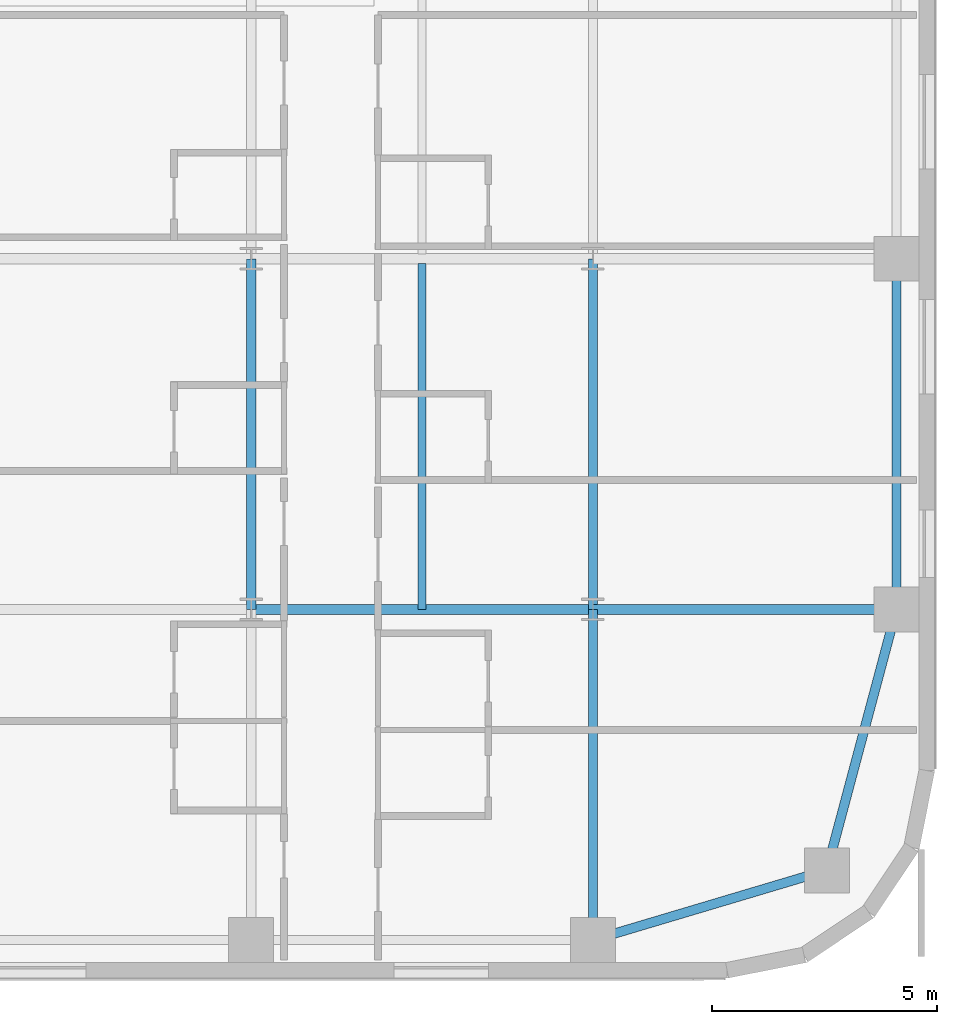
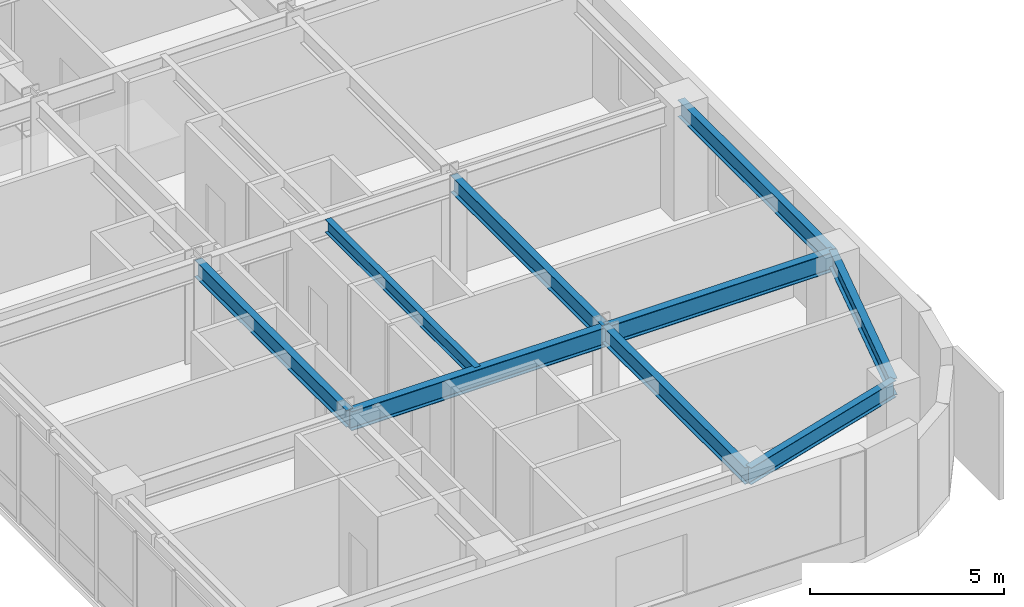
# One storey, part 17 of 37: 9 beams.
"""IFC4 building model written with IfcOpenShell, lengths in metres."""

from ifc_helpers import new_model, si_unit, direction, frame, origin, origin_2d, place, context, subcontext, project, spatial, i_section, extrude, source, transform, mapped, material, material_profile, profile_set, type_object, type_shapes, element, save


model = new_model("IFC4")

# Units and contexts
model_context = context("Model", 3, precision=1e-05, world=origin(), true_north=direction((0.0, 1.0)))
body_context = subcontext(model_context, "Body", "Model", "MODEL_VIEW")
ifc_project = project(units=[si_unit("LENGTHUNIT", "METRE"), si_unit("AREAUNIT", "SQUARE_METRE"), si_unit("VOLUMEUNIT", "CUBIC_METRE"), si_unit("PLANEANGLEUNIT", "RADIAN"), si_unit("MASSUNIT", "GRAM", prefix="KILO")], contexts=[model_context])

# Site, building, storey
site_placement = place(None, origin())
site = spatial("IfcSite", under=ifc_project, at=site_placement, CompositionType="ELEMENT")
building_placement = place(site_placement, origin())
building = spatial("IfcBuilding", under=site, at=building_placement, Name="Tolvann Quenvar Hotel", CompositionType="ELEMENT")
storey_placement = place(building_placement, frame((0.0, 0.0, 53.300048828125)))
storey = spatial("IfcBuildingStorey", under=building, at=storey_placement, Name="L12", CompositionType="ELEMENT", Elevation=53.300048828125)

# Beams
ifc_material = material(Name="Steel Grade 350", Category="steel")
ifc_material_profile_1 = material_profile(ifc_material, i_section(OverallWidth=0.208984375, OverallDepth=0.528076171875, WebThickness=0.009521484375, FlangeThickness=0.01318359375, FilletRadius=0.013916015625, at=origin_2d()), Name="530UB82")
ifc_profile_set_1 = profile_set([ifc_material_profile_1], Name="Steel Grade 350")
beam_type_1 = type_object("IfcBeamType", Name="BM_SPAND_530UB82", PredefinedType="SPANDREL", material=ifc_profile_set_1)
shared_shape_1 = source(origin(), body_context, "Body", "SweptSolid", [
    extrude(i_section(OverallWidth=0.208984375, OverallDepth=0.528076171875, WebThickness=0.009521484375, FlangeThickness=0.01318359375, FilletRadius=0.013916015625, at=origin_2d()), origin(), (0.0, 0.0, 1.0), 5.42626953125),
])
beam_1_placement = place(storey_placement, frame((49.39990234375, 0.85009765625, 3.10595703125), z_axis=(0.958344815522, 0.285613750654, 0.0), x_axis=(-0.285613750654, 0.958344815522, 0.0)))
element("IfcBeam", 1, at=beam_1_placement, inside=storey, type_object=beam_type_1, Name="BM-L12-EW-2-I2-J2", PredefinedType="SPANDREL", context=body_context, shape_type="MappedRepresentation", body=[
    mapped(shared_shape_1, transform((0.0, 0.0, 0.0), x_axis=(1.0, 0.0, 0.0), y_axis=(0.0, 1.0, 0.0), z_axis=(0.0, 0.0, 1.0), scale=1.0)),
])
ifc_material_profile_2 = material_profile(ifc_material, i_section(OverallWidth=0.22900390625, OverallDepth=0.612060546875, WebThickness=0.011962890625, FlangeThickness=0.01953125, FilletRadius=0.013916015625, at=origin_2d()), Name="610UB125")
ifc_profile_set_2 = profile_set([ifc_material_profile_2], Name="Steel Grade 350")
beam_type_2 = type_object("IfcBeamType", Name="BM_GIRD_610UB125", PredefinedType="BEAM", material=ifc_profile_set_2)
shared_shape_2 = source(origin(), body_context, "Body", "SweptSolid", [
    extrude(i_section(OverallWidth=0.22900390625, OverallDepth=0.612060546875, WebThickness=0.011962890625, FlangeThickness=0.01953125, FilletRadius=0.013916015625, at=origin_2d()), origin(), (0.0, 0.0, 1.0), 6.75),
])
beam_2_placement = place(storey_placement, frame((49.39990234375, 8.199951171875, 3.06396484375), z_axis=(1.0, 0.0, 0.0), x_axis=(0.0, 1.0, 0.0)))
element("IfcBeam", 2, at=beam_2_placement, inside=storey, type_object=beam_type_2, Name="BM-L12-EW-3-I3-J3", PredefinedType="BEAM", context=body_context, shape_type="MappedRepresentation", body=[
    mapped(shared_shape_2, transform((0.0, 0.0, 0.0), x_axis=(1.0, 0.0, 0.0), y_axis=(0.0, 1.0, 0.0), z_axis=(0.0, 0.0, 1.0), scale=1.0)),
])
shared_shape_3 = source(origin(), body_context, "Body", "SweptSolid", [
    extrude(i_section(OverallWidth=0.22900390625, OverallDepth=0.612060546875, WebThickness=0.011962890625, FlangeThickness=0.01953125, FilletRadius=0.013916015625, at=origin_2d()), origin(), (0.0, 0.0, 1.0), 7.599853515625),
])
type_shapes(beam_type_2, [shared_shape_2, shared_shape_3])
beam_3_placement = place(storey_placement, frame((41.800048828125, 8.199951171875, 3.06396484375), z_axis=(1.0, 0.0, 0.0), x_axis=(0.0, 1.0, 0.0)))
element("IfcBeam", 3, at=beam_3_placement, inside=storey, type_object=beam_type_2, Name="BM-L12-EW-3-H3-I3", PredefinedType="BEAM", context=body_context, shape_type="MappedRepresentation", body=[
    mapped(shared_shape_3, transform((0.0, 0.0, 0.0), x_axis=(1.0, 0.0, 0.0), y_axis=(0.0, 1.0, 0.0), z_axis=(0.0, 0.0, 1.0), scale=1.0)),
])
shared_shape_4 = source(origin(), body_context, "Body", "SweptSolid", [
    extrude(i_section(OverallWidth=0.208984375, OverallDepth=0.528076171875, WebThickness=0.009521484375, FlangeThickness=0.01318359375, FilletRadius=0.013916015625, at=origin_2d()), origin(), (0.0, 0.0, 1.0), 6.00341796875),
])
beam_4_placement = place(storey_placement, frame((54.60009765625, 2.39990234375, 3.10595703125), z_axis=(0.258148586649, 0.966105225745, 0.0), x_axis=(-0.966105225745, 0.258148586649, 0.0)))
element("IfcBeam", 4, at=beam_4_placement, inside=storey, type_object=beam_type_1, Name="BM-L12-NS-J2-J3", PredefinedType="SPANDREL", context=body_context, shape_type="MappedRepresentation", body=[
    mapped(shared_shape_4, transform((0.0, 0.0, 0.0), x_axis=(1.0, 0.0, 0.0), y_axis=(0.0, 1.0, 0.0), z_axis=(0.0, 0.0, 1.0), scale=1.0)),
])
shared_shape_5 = source(origin(), body_context, "Body", "SweptSolid", [
    extrude(i_section(OverallWidth=0.208984375, OverallDepth=0.528076171875, WebThickness=0.009521484375, FlangeThickness=0.01318359375, FilletRadius=0.013916015625, at=origin_2d()), origin(), (0.0, 0.0, 1.0), 7.800048828125),
])
type_shapes(beam_type_1, [shared_shape_1, shared_shape_4, shared_shape_5])
beam_5_placement = place(storey_placement, frame((56.14990234375, 8.199951171875, 3.10595703125), z_axis=(0.0, 1.0, 0.0), x_axis=(-1.0, 0.0, 0.0)))
element("IfcBeam", 5, at=beam_5_placement, inside=storey, type_object=beam_type_1, Name="BM-L12-NS-J3-J4", PredefinedType="SPANDREL", context=body_context, shape_type="MappedRepresentation", body=[
    mapped(shared_shape_5, transform((0.0, 0.0, 0.0), x_axis=(1.0, 0.0, 0.0), y_axis=(0.0, 1.0, 0.0), z_axis=(0.0, 0.0, 1.0), scale=1.0)),
])
ifc_material_profile_3 = material_profile(ifc_material, i_section(OverallWidth=0.208984375, OverallDepth=0.532958984375, WebThickness=0.01025390625, FlangeThickness=0.015625, FilletRadius=0.013916015625, at=origin_2d()), Name="530UB92")
ifc_profile_set_3 = profile_set([ifc_material_profile_3], Name="Steel Grade 350")
beam_type_3 = type_object("IfcBeamType", Name="BM_GIRD_530UB92", PredefinedType="BEAM", material=ifc_profile_set_3)
shared_shape_6 = source(origin(), body_context, "Body", "SweptSolid", [
    extrude(i_section(OverallWidth=0.208984375, OverallDepth=0.532958984375, WebThickness=0.01025390625, FlangeThickness=0.015625, FilletRadius=0.013916015625, at=origin_2d()), origin(), (0.0, 0.0, 1.0), 7.349853515625),
])
beam_6_placement = place(storey_placement, frame((49.39990234375, 0.85009765625, 3.103515625), z_axis=(0.0, 1.0, 0.0), x_axis=(-1.0, 0.0, 0.0)))
element("IfcBeam", 6, at=beam_6_placement, inside=storey, type_object=beam_type_3, Name="BM-L12-NS-I2-I3", PredefinedType="BEAM", context=body_context, shape_type="MappedRepresentation", body=[
    mapped(shared_shape_6, transform((0.0, 0.0, 0.0), x_axis=(1.0, 0.0, 0.0), y_axis=(0.0, 1.0, 0.0), z_axis=(0.0, 0.0, 1.0), scale=1.0)),
])
shared_shape_7 = source(origin(), body_context, "Body", "SweptSolid", [
    extrude(i_section(OverallWidth=0.208984375, OverallDepth=0.532958984375, WebThickness=0.01025390625, FlangeThickness=0.015625, FilletRadius=0.013916015625, at=origin_2d()), origin(), (0.0, 0.0, 1.0), 7.800048828125),
])
type_shapes(beam_type_3, [shared_shape_6, shared_shape_7])
for number, where, z_axis, x_axis, name in (
    (7, (41.800048828125, 8.199951171875, 3.103515625), (0.0, 1.0, 0.0), (-1.0, 0.0, 0.0), "BM-L12-NS-H3-H4"),
    (8, (49.39990234375, 8.199951171875, 3.103515625), (0.0, 1.0, 0.0), (-1.0, 0.0, 0.0), "BM-L12-NS-I3-I4"),
):
    element("IfcBeam", number, at=place(storey_placement, frame(where, z_axis=z_axis, x_axis=x_axis)), inside=storey, type_object=beam_type_3, Name=name, PredefinedType="BEAM", context=body_context, shape_type="MappedRepresentation", body=[
        mapped(shared_shape_7, transform((0.0, 0.0, 0.0), x_axis=(1.0, 0.0, 0.0), y_axis=(0.0, 1.0, 0.0), z_axis=(0.0, 0.0, 1.0), scale=1.0)),
    ])
ifc_material_profile_4 = material_profile(ifc_material, i_section(OverallWidth=0.177978515625, OverallDepth=0.406005859375, WebThickness=0.0078125, FlangeThickness=0.0126953125, FilletRadius=0.011474609375, at=origin_2d()), Name="410UB60")
ifc_profile_set_4 = profile_set([ifc_material_profile_4], Name="Steel Grade 350")
beam_type_4 = type_object("IfcBeamType", Name="BM_JOIST_410UB60", PredefinedType="JOIST", material=ifc_profile_set_4)
shared_shape_8 = source(origin(), body_context, "Body", "SweptSolid", [
    extrude(i_section(OverallWidth=0.177978515625, OverallDepth=0.406005859375, WebThickness=0.0078125, FlangeThickness=0.0126953125, FilletRadius=0.011474609375, at=origin_2d()), origin(), (0.0, 0.0, 1.0), 7.691650390625),
])
type_shapes(beam_type_4, [shared_shape_8])
beam_7_placement = place(storey_placement, frame((45.60009765625, 8.199951171875, 3.1669921875), z_axis=(0.0, 1.0, 0.0), x_axis=(-1.0, 0.0, 0.0)))
element("IfcBeam", 9, at=beam_7_placement, inside=storey, type_object=beam_type_4, Name="BJ-L12-456-82", PredefinedType="JOIST", context=body_context, shape_type="MappedRepresentation", body=[
    mapped(shared_shape_8, transform((0.0, 0.0, 0.0), x_axis=(1.0, 0.0, 0.0), y_axis=(0.0, 1.0, 0.0), z_axis=(0.0, 0.0, 1.0), scale=1.0)),
])

save(model, "model.ifc")
